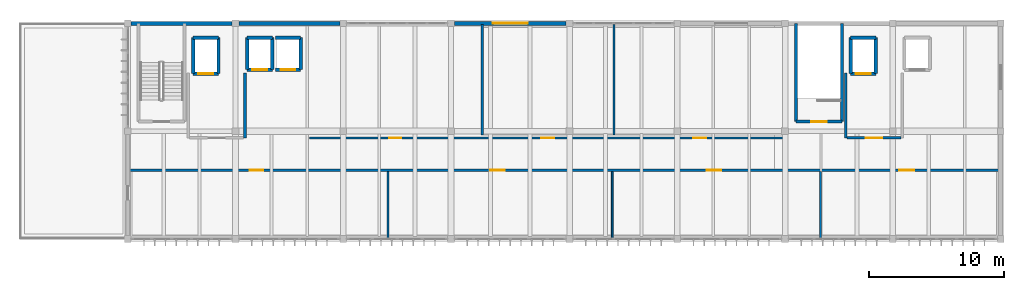
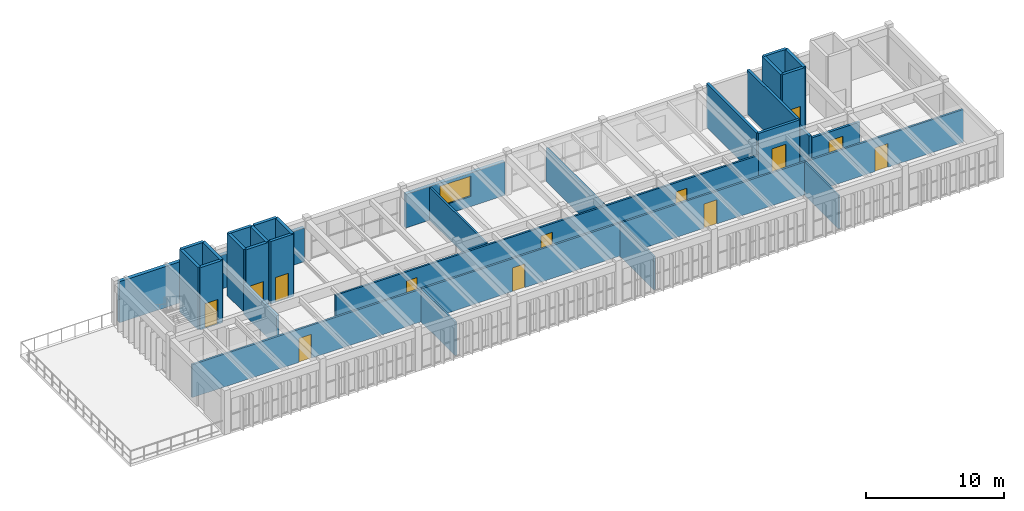
# One storey, part 9 of 12: 31 walls, 13 doors, 1 window, 14 openings.
"""IFC4 building model written with IfcOpenShell, lengths in metres."""

import ifcopenshell
import ifcopenshell.guid

model = None  # the IFC model being written
_history = None  # IfcOwnerHistory: only IFC2X3 demands one
_inside = {}  # id of a spatial element -> (the spatial element, [elements in it])
_under = {}  # id of a project, library or spatial element -> (it, [spatial elements below it])
_declared = {}  # id of a project -> (the project, [libraries it declares])
_typed = {}  # id of a type object -> (the type object, [elements of that type])
_made_of = {}  # id of a material, layer set ... -> (it, [elements and type objects made of it])


def new_model(schema):
    """Start an empty IFC model of exactly this schema.

    Asked for "IFC4X3", IfcOpenShell would pick the latest addendum, in which some entities
    have other attributes; the version numbers below select the first issue.
    IFC2X3 requires an IfcOwnerHistory on every rooted entity: one is made here for all.
    """
    global model, _history
    if schema == "IFC4X3":
        model = ifcopenshell.file(schema_version=(4, 3, 0, 0))
    else:
        model = ifcopenshell.file(schema=schema)
    _inside.clear()
    _under.clear()
    _declared.clear()
    _typed.clear()
    _made_of.clear()
    _history = None
    if model.schema == "IFC2X3":
        org = make("IfcOrganization", Name="unknown")
        user = make(
            "IfcPersonAndOrganization",
            ThePerson=make("IfcPerson", FamilyName="unknown"),
            TheOrganization=org,
        )
        app = make(
            "IfcApplication",
            ApplicationDeveloper=org,
            Version="unknown",
            ApplicationFullName="unknown",
            ApplicationIdentifier="unknown",
        )
        _history = make(
            "IfcOwnerHistory",
            OwningUser=user,
            OwningApplication=app,
            ChangeAction="ADDED",
            CreationDate=0,
        )
    return model


def make(cls, **values):
    """One entity of the class cls with the attributes given. An attribute that is None is left unset."""
    return model.create_entity(
        cls, **{name: value for name, value in values.items() if value is not None}
    )


def rooted(cls, **values):
    """An entity with a GlobalId (a new one), such as an element, a storey or a relation."""
    return make(cls, GlobalId=ifcopenshell.guid.new(), OwnerHistory=_history, **values)


def si_unit(unit_type, name, prefix=None):
    """IfcSIUnit, for example si_unit("LENGTHUNIT", "METRE", prefix="MILLI")."""
    return make("IfcSIUnit", UnitType=unit_type, Prefix=prefix, Name=name)


def assignment(units):
    """IfcUnitAssignment: the units of a project."""
    return None if units is None else make("IfcUnitAssignment", Units=units)


def point(xyz):
    """IfcCartesianPoint."""
    return None if xyz is None else make("IfcCartesianPoint", Coordinates=xyz)


def direction(xyz):
    """IfcDirection."""
    return None if xyz is None else make("IfcDirection", DirectionRatios=xyz)


def frame(location, z_axis=None, x_axis=None):
    """IfcAxis2Placement3D, a coordinate frame: its origin and axes. An axis left out is left unset."""
    return make(
        "IfcAxis2Placement3D",
        Location=point(location),
        Axis=direction(z_axis),
        RefDirection=direction(x_axis),
    )


def frame_2d(location, x_axis=None):
    """IfcAxis2Placement2D, a coordinate frame in the plane: its origin and x axis."""
    return make(
        "IfcAxis2Placement2D", Location=point(location), RefDirection=direction(x_axis)
    )


def origin():
    """The frame at (0, 0, 0) with its axes left unset."""
    return frame((0.0, 0.0, 0.0))


def place(relative_to, where):
    """IfcLocalPlacement: puts the frame where relative to a parent placement (None: the world)."""
    return make(
        "IfcLocalPlacement", PlacementRelTo=relative_to, RelativePlacement=where
    )


def context(
    kind, dimensions, precision=None, world=None, true_north=None, identifier=None
):
    """IfcGeometricRepresentationContext, for example the 3D "Model" context."""
    return make(
        "IfcGeometricRepresentationContext",
        ContextIdentifier=identifier,
        ContextType=kind,
        CoordinateSpaceDimension=dimensions,
        Precision=precision,
        WorldCoordinateSystem=world,
        TrueNorth=true_north,
    )


def subcontext(parent, identifier, kind, view, scale=None):
    """IfcGeometricRepresentationSubContext, for example "Body" below "Model"."""
    return make(
        "IfcGeometricRepresentationSubContext",
        ContextIdentifier=identifier,
        ContextType=kind,
        ParentContext=parent,
        TargetScale=scale,
        TargetView=view,
    )


def project(units=None, contexts=None):
    """IfcProject with its units and contexts."""
    return rooted(
        "IfcProject",
        Name="project",
        RepresentationContexts=contexts,
        UnitsInContext=assignment(units),
    )


def spatial(cls, under=None, at=None, **own):
    """A site, building, storey or space (cls), placed at a placement, below another one or the project."""
    s = rooted(cls, ObjectPlacement=at, **own)
    if under is not None:
        _under.setdefault(under.id(), (under, []))[1].append(s)
    return s


def profile(cls, at=None, kind="AREA", **sizes):
    """A parametric profile (cls). Its sizes go by their IFC names, for example OverallWidth=200.0."""
    return make(cls, ProfileType=kind, Position=at, **sizes)


def rectangle(**sizes):
    """IfcRectangleProfileDef."""
    return profile("IfcRectangleProfileDef", **sizes)


def extrude(swept, where, along, depth):
    """IfcExtrudedAreaSolid: the profile swept, set in the frame where, extruded along a direction by depth."""
    return make(
        "IfcExtrudedAreaSolid",
        SweptArea=swept,
        Position=where,
        ExtrudedDirection=direction(along),
        Depth=depth,
    )


def shape(context_of_items, identifier, shape_type, items):
    """IfcShapeRepresentation: the items that make up one representation, for example the "Body"."""
    return make(
        "IfcShapeRepresentation",
        ContextOfItems=context_of_items,
        RepresentationIdentifier=identifier,
        RepresentationType=shape_type,
        Items=items,
    )


def material(Name=None, Category=None):
    """IfcMaterial."""
    return make("IfcMaterial", Name=Name, Category=Category)


def layer(
    of_material, thickness, ventilated=None, Name=None, Category=None, Priority=None
):
    """IfcMaterialLayer: one layer of a wall or slab, of a material (None: an air gap)."""
    return make(
        "IfcMaterialLayer",
        Material=of_material,
        LayerThickness=thickness,
        IsVentilated=ventilated,
        Name=Name,
        Category=Category,
        Priority=Priority,
    )


def layer_set(layers, Name=None):
    """IfcMaterialLayerSet."""
    return make("IfcMaterialLayerSet", MaterialLayers=layers, LayerSetName=Name)


def made_of(thing, what):
    """Note that an element or type object is made of a material, layer set ...; save() writes the relation."""
    if what is not None:
        _made_of.setdefault(what.id(), (what, []))[1].append(thing)
    return thing


def type_object(cls, material=None, **own):
    """A type object (cls), such as IfcWallType, which elements share."""
    return made_of(rooted(cls, **own), material)


def element(
    cls,
    number,
    at=None,
    inside=None,
    cuts=None,
    type_object=None,
    material=None,
    context=None,
    identifier="Body",
    shape_type=None,
    held_by="IfcProductDefinitionShape",
    body=None,
    shapes=None,
    **own,
):
    """One element of the class cls, such as IfcWall. Its Tag is "e" and its number.

    at: its placement. inside: the storey or other place that contains it. cuts: it is an
    opening in that element (IfcRelVoidsElement). A single representation is given by context,
    identifier, shape_type and body (its items); several are given by shapes. held_by: the class
    of the entity that holds the representations. save() writes the other relations.
    """
    e = rooted(cls, Tag="e%d" % number, ObjectPlacement=at, **own)
    if body is not None:
        shapes = [shape(context, identifier, shape_type, body)]
    if shapes is not None:
        e.Representation = make(held_by, Representations=shapes)
    if inside is not None:
        _inside.setdefault(inside.id(), (inside, []))[1].append(e)
    if cuts is not None:
        rooted(
            "IfcRelVoidsElement", RelatingBuildingElement=cuts, RelatedOpeningElement=e
        )
    if type_object is not None:
        _typed.setdefault(type_object.id(), (type_object, []))[1].append(e)
    return made_of(e, material)


def fill(opening, filler):
    """IfcRelFillsElement: the door or window that sits in an opening."""
    return rooted(
        "IfcRelFillsElement",
        RelatingOpeningElement=opening,
        RelatedBuildingElement=filler,
    )


def aggregate(whole, parts):
    """IfcRelAggregates: a whole, such as a stair, and the parts it consists of."""
    return rooted("IfcRelAggregates", RelatingObject=whole, RelatedObjects=parts)


def save(model, path):
    """Write the relations noted so far, then the file.

    IfcRelAggregates (storeys below a building ...), IfcRelContainedInSpatialStructure (elements
    in a storey), IfcRelDefinesByType, IfcRelAssociatesMaterial and IfcRelDeclares: one each for
    every whole, place, type object, material and project.
    """
    for whole, parts in _under.values():
        aggregate(whole, parts)
    for where, things in _inside.values():
        rooted(
            "IfcRelContainedInSpatialStructure",
            RelatedElements=things,
            RelatingStructure=where,
        )
    for kind, things in _typed.values():
        rooted("IfcRelDefinesByType", RelatedObjects=things, RelatingType=kind)
    for what, things in _made_of.values():
        rooted("IfcRelAssociatesMaterial", RelatedObjects=things, RelatingMaterial=what)
    for by, libraries in _declared.values():
        rooted("IfcRelDeclares", RelatingContext=by, RelatedDefinitions=libraries)
    model.write(path)


model = new_model("IFC4")

# Units and contexts
model_context = context("Model", 3, precision=1e-05, world=origin(), true_north=direction((0.0, 1.0)))
body_context = subcontext(model_context, "Body", "Model", "MODEL_VIEW")
ifc_project = project(units=[si_unit("LENGTHUNIT", "METRE"), si_unit("AREAUNIT", "SQUARE_METRE"), si_unit("VOLUMEUNIT", "CUBIC_METRE"), si_unit("PLANEANGLEUNIT", "RADIAN"), si_unit("MASSUNIT", "GRAM", prefix="KILO")], contexts=[model_context])

# Site, building, storey
site_placement = place(None, origin())
site = spatial("IfcSite", under=ifc_project, at=site_placement, CompositionType="ELEMENT")
building_placement = place(site_placement, origin())
building = spatial("IfcBuilding", under=site, at=building_placement, Name="Tlaxcora Railside Police Headquarters", CompositionType="ELEMENT")
storey_placement = place(building_placement, frame((0.0, 0.0, 29.699951171875)))
storey = spatial("IfcBuildingStorey", under=building, at=storey_placement, Name="L07", CompositionType="ELEMENT", Elevation=29.699951171875)

# Walls
ifc_material_1 = material(Name="Gypsum acoustic partition board")
ifc_layer_1 = layer(ifc_material_1, 0.1298828125, Name="Gypsum acoustic partition board")
ifc_layer_set_1 = layer_set([ifc_layer_1], Name="Gypsum acoustic partition board")
wall_type_1 = type_object("IfcWallType", Name="Interior Partition Wall IW-40", PredefinedType="PARTITIONING", material=ifc_layer_set_1)
wall_1_placement = place(storey_placement, frame((72.6220703125, 76.8798828125, 0.0), z_axis=(0.0, 0.0, 1.0), x_axis=(0.0, 1.0, 0.0)))
element("IfcWall", 1, at=wall_1_placement, inside=storey, type_object=wall_type_1, Name="V5 L07 interior partition 257", PredefinedType="PARTITIONING", context=body_context, shape_type="SweptSolid", body=[
    extrude(rectangle(XDim=4.920166015625, YDim=0.1298828125, at=frame_2d((2.4599609375, 0.0))), origin(), (0.0, 0.0, 1.0), 2.965087890625),
])
ifc_material_2 = material(Name="Pressed clay brick masonry", Category="masonry")
ifc_layer_2 = layer(ifc_material_2, 0.199951171875, Name="Pressed clay brick masonry")
ifc_layer_set_2 = layer_set([ifc_layer_2], Name="Pressed clay brick masonry")
wall_type_2 = type_object("IfcWallType", Name="Interior Partition Wall IW-60", PredefinedType="PARTITIONING", material=ifc_layer_set_2)
wall_2_placement = place(storey_placement, frame((29.89990234375, 84.300048828125, 0.0), z_axis=(0.0, 0.0, 1.0), x_axis=(0.0, 1.0, 0.0)))
element("IfcWall", 2, at=wall_2_placement, inside=storey, type_object=wall_type_2, Name="V5 L07 interior partition 251", PredefinedType="PARTITIONING", context=body_context, shape_type="SweptSolid", body=[
    extrude(rectangle(XDim=4.800048828125, YDim=0.199951171875, at=frame_2d((2.39990234375, 0.0))), origin(), (0.0, 0.0, 1.0), 2.76513671875),
])

# Wall, opening, door
wall_3_placement = place(storey_placement, frame((74.60009765625, 84.300048828125, 0.0), z_axis=(0.0, 0.0, 1.0), x_axis=(1.0, 0.0, 0.0)))
wall_3 = element("IfcWall", 3, at=wall_3_placement, inside=storey, type_object=wall_type_2, Name="V5 L07 interior partition 252", PredefinedType="PARTITIONING", context=body_context, shape_type="SweptSolid", body=[
    extrude(rectangle(XDim=4.0, YDim=0.199951171875, at=frame_2d((2.0, 0.0))), origin(), (0.0, 0.0, 1.0), 2.9150390625),
])
opening_1_placement = place(wall_3_placement, frame((1.39990234375, 0.0, 0.0)))
opening_1 = element("IfcOpeningElement", 4, at=opening_1_placement, cuts=wall_3, Name="Opening D-L07-266", PredefinedType="OPENING", context=body_context, shape_type="SweptSolid", body=[
    extrude(rectangle(XDim=1.199951171875, YDim=2.14990234375, at=frame_2d((0.60009765625, 1.074951171875))), frame((0.0, 0.10986328125, 0.0), z_axis=(0.0, -1.0, 0.0), x_axis=(1.0, 0.0, 0.0)), (0.0, 0.0, 1.0), 0.219970703125),
])
ifc_material_3 = material(Name="Steel ASTM A992 Grade 50", Category="steel")
door_type_1 = type_object("IfcDoorType", Name="Swing or Sliding Personnel Door ID-14", OperationType="NOTDEFINED", PredefinedType="DOOR", material=ifc_material_3)
door_1_placement = place(opening_1_placement, origin())
door_1 = element("IfcDoor", 5, at=door_1_placement, inside=storey, type_object=door_type_1, Name="V5 L07 door D-L07-266", OperationType="DOUBLE_DOOR_SINGLE_SWING", OverallHeight=2.14990234375, OverallWidth=1.199951171875, PredefinedType="DOOR", context=body_context, shape_type="SweptSolid", body=[
    extrude(rectangle(XDim=1.199951171875, YDim=2.14990234375, at=frame_2d((0.60009765625, 1.074951171875))), frame((0.0, 0.02490234375, 0.0), z_axis=(0.0, -1.0, 0.0), x_axis=(1.0, 0.0, 0.0)), (0.0, 0.0, 1.0), 0.050048828125),
])
fill(opening_1, door_1)

# Wall
wall_4_placement = place(storey_placement, frame((74.5, 84.300048828125, 0.0), z_axis=(0.0, 0.0, 1.0), x_axis=(0.0, 1.0, 0.0)))
element("IfcWall", 6, at=wall_4_placement, inside=storey, type_object=wall_type_2, Name="V5 L07 interior partition 253", PredefinedType="PARTITIONING", context=body_context, shape_type="SweptSolid", body=[
    extrude(rectangle(XDim=4.800048828125, YDim=0.199951171875, at=frame_2d((2.39990234375, 0.0))), origin(), (0.0, 0.0, 1.0), 3.06494140625),
])

# Wall, openings, doors
ifc_layer_3 = layer(ifc_material_1, 0.159912109375, Name="Gypsum acoustic partition board")
ifc_layer_set_3 = layer_set([ifc_layer_3], Name="Gypsum acoustic partition board")
wall_type_3 = type_object("IfcWallType", Name="Interior Partition Wall IW-73", PredefinedType="PARTITIONING", material=ifc_layer_set_3)
wall_5_placement = place(storey_placement, frame((21.280029296875, 81.89990234375, 0.0), z_axis=(0.0, 0.0, 1.0), x_axis=(1.0, 0.0, 0.0)))
wall_5 = element("IfcWall", 7, at=wall_5_placement, inside=storey, type_object=wall_type_3, Name="V5 L07 interior partition 258", PredefinedType="PARTITIONING", context=body_context, shape_type="SweptSolid", body=[
    extrude(rectangle(XDim=64.639892578125, YDim=0.159912109375, at=frame_2d((32.31982421875, 0.0))), origin(), (0.0, 0.0, 1.0), 2.9150390625),
])
opening_2_placement = place(wall_5_placement, frame((8.969970703125, 0.0, 0.0)))
opening_2 = element("IfcOpeningElement", 8, at=opening_2_placement, cuts=wall_5, Name="Opening D-L07-267", PredefinedType="OPENING", context=body_context, shape_type="SweptSolid", body=[
    extrude(rectangle(XDim=1.02001953125, YDim=2.1201171875, at=frame_2d((0.510009765625, 1.06005859375))), frame((0.0, 0.08984375, 0.0), z_axis=(0.0, -1.0, 0.0), x_axis=(1.0, 0.0, 0.0)), (0.0, 0.0, 1.0), 0.179931640625),
])
opening_3_placement = place(wall_5_placement, frame((26.840087890625, 0.0, 0.0)))
opening_3 = element("IfcOpeningElement", 9, at=opening_3_placement, cuts=wall_5, Name="Opening D-L07-268", PredefinedType="OPENING", context=body_context, shape_type="SweptSolid", body=[
    extrude(rectangle(XDim=1.050048828125, YDim=2.10009765625, at=frame_2d((0.52490234375, 1.050048828125))), frame((0.0, 0.08984375, 0.0), z_axis=(0.0, -1.0, 0.0), x_axis=(1.0, 0.0, 0.0)), (0.0, 0.0, 1.0), 0.179931640625),
])
opening_4_placement = place(wall_5_placement, frame((42.889892578125, 0.0, 0.0)))
opening_4 = element("IfcOpeningElement", 10, at=opening_4_placement, cuts=wall_5, Name="Opening D-L07-269", PredefinedType="OPENING", context=body_context, shape_type="SweptSolid", body=[
    extrude(rectangle(XDim=1.080078125, YDim=2.139892578125, at=frame_2d((0.5400390625, 1.06982421875))), frame((0.0, 0.08984375, 0.0), z_axis=(0.0, -1.0, 0.0), x_axis=(1.0, 0.0, 0.0)), (0.0, 0.0, 1.0), 0.179931640625),
])
opening_5_placement = place(wall_5_placement, frame((57.199951171875, 0.0, 0.0)))
opening_5 = element("IfcOpeningElement", 11, at=opening_5_placement, cuts=wall_5, Name="Opening D-L07-270", PredefinedType="OPENING", context=body_context, shape_type="SweptSolid", body=[
    extrude(rectangle(XDim=1.10009765625, YDim=2.10009765625, at=frame_2d((0.550048828125, 1.050048828125))), frame((0.0, 0.08984375, 0.0), z_axis=(0.0, -1.0, 0.0), x_axis=(1.0, 0.0, 0.0)), (0.0, 0.0, 1.0), 0.179931640625),
])
door_type_2 = type_object("IfcDoorType", Name="Swing or Sliding Personnel Door ID-20", OperationType="NOTDEFINED", PredefinedType="DOOR", material=ifc_material_3)
door_2_placement = place(opening_4_placement, origin())
door_2 = element("IfcDoor", 12, at=door_2_placement, inside=storey, type_object=door_type_2, Name="V5 L07 door D-L07-269", OperationType="SINGLE_SWING_RIGHT", OverallHeight=2.139892578125, OverallWidth=1.080078125, PredefinedType="DOOR", context=body_context, shape_type="SweptSolid", body=[
    extrude(rectangle(XDim=1.080078125, YDim=2.139892578125, at=frame_2d((0.5400390625, 1.06982421875))), frame((0.0, 0.02490234375, 0.0), z_axis=(0.0, -1.0, 0.0), x_axis=(1.0, 0.0, 0.0)), (0.0, 0.0, 1.0), 0.050048828125),
])
fill(opening_4, door_2)
door_type_3 = type_object("IfcDoorType", Name="Swing or Sliding Personnel Door ID-48", OperationType="NOTDEFINED", PredefinedType="DOOR", material=ifc_material_3)
door_3_placement = place(opening_2_placement, origin())
door_3 = element("IfcDoor", 13, at=door_3_placement, inside=storey, type_object=door_type_3, Name="V5 L07 door D-L07-267", OperationType="SINGLE_SWING_RIGHT", OverallHeight=2.1201171875, OverallWidth=1.02001953125, PredefinedType="DOOR", context=body_context, shape_type="SweptSolid", body=[
    extrude(rectangle(XDim=1.02001953125, YDim=2.1201171875, at=frame_2d((0.510009765625, 1.06005859375))), frame((0.0, 0.02490234375, 0.0), z_axis=(0.0, -1.0, 0.0), x_axis=(1.0, 0.0, 0.0)), (0.0, 0.0, 1.0), 0.050048828125),
])
fill(opening_2, door_3)
door_type_4 = type_object("IfcDoorType", Name="Swing or Sliding Personnel Door ID-52", OperationType="NOTDEFINED", PredefinedType="DOOR", material=ifc_material_3)
door_4_placement = place(opening_3_placement, origin())
door_4 = element("IfcDoor", 14, at=door_4_placement, inside=storey, type_object=door_type_4, Name="V5 L07 door D-L07-268", OperationType="SINGLE_SWING_LEFT", OverallHeight=2.10009765625, OverallWidth=1.050048828125, PredefinedType="DOOR", context=body_context, shape_type="SweptSolid", body=[
    extrude(rectangle(XDim=1.050048828125, YDim=2.10009765625, at=frame_2d((0.52490234375, 1.050048828125))), frame((0.0, 0.02490234375, 0.0), z_axis=(0.0, -1.0, 0.0), x_axis=(1.0, 0.0, 0.0)), (0.0, 0.0, 1.0), 0.050048828125),
])
fill(opening_3, door_4)
door_type_5 = type_object("IfcDoorType", Name="Swing or Sliding Personnel Door ID-66", OperationType="NOTDEFINED", PredefinedType="DOOR", material=ifc_material_3)
door_5_placement = place(opening_5_placement, origin())
door_5 = element("IfcDoor", 15, at=door_5_placement, inside=storey, type_object=door_type_5, Name="V5 L07 door D-L07-270", OperationType="SINGLE_SWING_LEFT", OverallHeight=2.10009765625, OverallWidth=1.10009765625, PredefinedType="DOOR", context=body_context, shape_type="SweptSolid", body=[
    extrude(rectangle(XDim=1.10009765625, YDim=2.10009765625, at=frame_2d((0.550048828125, 1.050048828125))), frame((0.0, 0.02490234375, 0.0), z_axis=(0.0, -1.0, 0.0), x_axis=(1.0, 0.0, 0.0)), (0.0, 0.0, 1.0), 0.050048828125),
])
fill(opening_5, door_5)

# Walls
wall_6_placement = place(storey_placement, frame((47.510986328125, 84.5, 0.0), z_axis=(0.0, 0.0, 1.0), x_axis=(0.0, 1.0, 0.0)))
element("IfcWall", 16, at=wall_6_placement, inside=storey, type_object=wall_type_3, Name="V5 L07 interior partition 259", PredefinedType="PARTITIONING", context=body_context, shape_type="SweptSolid", body=[
    extrude(rectangle(XDim=8.219970703125, YDim=0.159912109375, at=frame_2d((4.10986328125, 0.0))), origin(), (0.0, 0.0, 1.0), 2.9150390625),
])
wall_7_placement = place(storey_placement, frame((57.2890625, 84.5, 0.0), z_axis=(0.0, 0.0, 1.0), x_axis=(0.0, 1.0, 0.0)))
element("IfcWall", 17, at=wall_7_placement, inside=storey, type_object=wall_type_3, Name="V5 L07 interior partition 260", PredefinedType="PARTITIONING", context=body_context, shape_type="SweptSolid", body=[
    extrude(rectangle(XDim=8.219970703125, YDim=0.159912109375, at=frame_2d((4.10986328125, 0.0))), origin(), (0.0, 0.0, 1.0), 2.965087890625),
])

# Wall, openings, doors
wall_8_placement = place(storey_placement, frame((34.699951171875, 84.300048828125, 0.0), z_axis=(0.0, 0.0, 1.0), x_axis=(1.0, 0.0, 0.0)))
wall_8 = element("IfcWall", 18, at=wall_8_placement, inside=storey, type_object=wall_type_3, Name="V5 L07 interior partition 261", PredefinedType="PARTITIONING", context=body_context, shape_type="SweptSolid", body=[
    extrude(rectangle(XDim=35.400146484375, YDim=0.159912109375, at=frame_2d((17.7001953125, 0.0))), origin(), (0.0, 0.0, 1.0), 2.9150390625),
])
opening_6_placement = place(wall_8_placement, frame((5.919921875, 0.0, 0.0)))
opening_6 = element("IfcOpeningElement", 19, at=opening_6_placement, cuts=wall_8, Name="Opening D-L07-271", PredefinedType="OPENING", context=body_context, shape_type="SweptSolid", body=[
    extrude(rectangle(XDim=0.89990234375, YDim=2.10009765625, at=frame_2d((0.449951171875, 1.050048828125))), frame((0.0, 0.08984375, 0.0), z_axis=(0.0, -1.0, 0.0), x_axis=(1.0, 0.0, 0.0)), (0.0, 0.0, 1.0), 0.179931640625),
])
opening_7_placement = place(wall_8_placement, frame((17.199951171875, 0.0, 0.0)))
opening_7 = element("IfcOpeningElement", 20, at=opening_7_placement, cuts=wall_8, Name="Opening D-L07-272", PredefinedType="OPENING", context=body_context, shape_type="SweptSolid", body=[
    extrude(rectangle(XDim=0.949951171875, YDim=2.14990234375, at=frame_2d((0.47509765625, 1.074951171875))), frame((0.0, 0.08984375, 0.0), z_axis=(0.0, -1.0, 0.0), x_axis=(1.0, 0.0, 0.0)), (0.0, 0.0, 1.0), 0.179931640625),
])
opening_8_placement = place(wall_8_placement, frame((28.47998046875, 0.0, 0.0)))
opening_8 = element("IfcOpeningElement", 21, at=opening_8_placement, cuts=wall_8, Name="Opening D-L07-273", PredefinedType="OPENING", context=body_context, shape_type="SweptSolid", body=[
    extrude(rectangle(XDim=0.949951171875, YDim=2.10009765625, at=frame_2d((0.47509765625, 1.050048828125))), frame((0.0, 0.08984375, 0.0), z_axis=(0.0, -1.0, 0.0), x_axis=(1.0, 0.0, 0.0)), (0.0, 0.0, 1.0), 0.179931640625),
])
door_type_6 = type_object("IfcDoorType", Name="Swing or Sliding Personnel Door ID-31", OperationType="NOTDEFINED", PredefinedType="DOOR", material=ifc_material_3)
door_6_placement = place(opening_7_placement, origin())
door_6 = element("IfcDoor", 22, at=door_6_placement, inside=storey, type_object=door_type_6, Name="V5 L07 door D-L07-272", OperationType="SINGLE_SWING_LEFT", OverallHeight=2.14990234375, OverallWidth=0.949951171875, PredefinedType="DOOR", context=body_context, shape_type="SweptSolid", body=[
    extrude(rectangle(XDim=0.949951171875, YDim=2.14990234375, at=frame_2d((0.47509765625, 1.074951171875))), frame((0.0, 0.02490234375, 0.0), z_axis=(0.0, -1.0, 0.0), x_axis=(1.0, 0.0, 0.0)), (0.0, 0.0, 1.0), 0.050048828125),
])
fill(opening_7, door_6)
door_type_7 = type_object("IfcDoorType", Name="Swing or Sliding Personnel Door ID-33", OperationType="NOTDEFINED", PredefinedType="DOOR", material=ifc_material_3)
door_7_placement = place(opening_6_placement, origin())
door_7 = element("IfcDoor", 23, at=door_7_placement, inside=storey, type_object=door_type_7, Name="V5 L07 door D-L07-271", OperationType="SINGLE_SWING_RIGHT", OverallHeight=2.10009765625, OverallWidth=0.89990234375, PredefinedType="DOOR", context=body_context, shape_type="SweptSolid", body=[
    extrude(rectangle(XDim=0.89990234375, YDim=2.10009765625, at=frame_2d((0.449951171875, 1.050048828125))), frame((0.0, 0.02490234375, 0.0), z_axis=(0.0, -1.0, 0.0), x_axis=(1.0, 0.0, 0.0)), (0.0, 0.0, 1.0), 0.050048828125),
])
fill(opening_6, door_7)
door_type_8 = type_object("IfcDoorType", Name="Swing or Sliding Personnel Door ID-87", OperationType="NOTDEFINED", PredefinedType="DOOR", material=ifc_material_3)
door_8_placement = place(opening_8_placement, origin())
door_8 = element("IfcDoor", 24, at=door_8_placement, inside=storey, type_object=door_type_8, Name="V5 L07 door D-L07-273", OperationType="SINGLE_SWING_RIGHT", OverallHeight=2.10009765625, OverallWidth=0.949951171875, PredefinedType="DOOR", context=body_context, shape_type="SweptSolid", body=[
    extrude(rectangle(XDim=0.949951171875, YDim=2.10009765625, at=frame_2d((0.47509765625, 1.050048828125))), frame((0.0, 0.02490234375, 0.0), z_axis=(0.0, -1.0, 0.0), x_axis=(1.0, 0.0, 0.0)), (0.0, 0.0, 1.0), 0.050048828125),
])
fill(opening_8, door_8)

# Walls
ifc_layer_4 = layer(ifc_material_1, 0.139892578125, Name="Gypsum acoustic partition board")
ifc_layer_set_4 = layer_set([ifc_layer_4], Name="Gypsum acoustic partition board")
wall_type_4 = type_object("IfcWallType", Name="Interior Partition Wall IW-86", PredefinedType="PARTITIONING", material=ifc_layer_set_4)
wall_9_placement = place(storey_placement, frame((57.166015625, 76.8798828125, 0.0), z_axis=(0.0, 0.0, 1.0), x_axis=(0.0, 1.0, 0.0)))
element("IfcWall", 25, at=wall_9_placement, inside=storey, type_object=wall_type_4, Name="V5 L07 interior partition 256", PredefinedType="PARTITIONING", context=body_context, shape_type="SweptSolid", body=[
    extrude(rectangle(XDim=4.920166015625, YDim=0.139892578125, at=frame_2d((2.4599609375, 0.0))), origin(), (0.0, 0.0, 1.0), 2.965087890625),
])
ifc_layer_5 = layer(ifc_material_1, 0.14990234375, Name="Gypsum acoustic partition board")
ifc_layer_set_5 = layer_set([ifc_layer_5], Name="Gypsum acoustic partition board")
wall_type_5 = type_object("IfcWallType", Name="Interior Partition Wall IW-91", PredefinedType="PARTITIONING", material=ifc_layer_set_5)
wall_10_placement = place(storey_placement, frame((40.52197265625, 76.8798828125, 0.0), z_axis=(0.0, 0.0, 1.0), x_axis=(0.0, 1.0, 0.0)))
element("IfcWall", 26, at=wall_10_placement, inside=storey, type_object=wall_type_5, Name="V5 L07 interior partition 255", PredefinedType="PARTITIONING", context=body_context, shape_type="SweptSolid", body=[
    extrude(rectangle(XDim=4.920166015625, YDim=0.14990234375, at=frame_2d((2.4599609375, 0.0))), origin(), (0.0, 0.0, 1.0), 2.965087890625),
])

# Wall, opening, door
ifc_material_4 = material(Name="Concrete C40/50", Category="concrete")
ifc_layer_6 = layer(ifc_material_4, 0.25, Name="Concrete C40/50")
ifc_layer_set_6 = layer_set([ifc_layer_6], Name="Concrete C40/50")
wall_type_6 = type_object("IfcWallType", Name="Shear Core Wall IW-13", PredefinedType="SHEAR", material=ifc_layer_set_6)
wall_11_placement = place(storey_placement, frame((26.06005859375, 89.06005859375, 0.0), z_axis=(0.0, 0.0, 1.0), x_axis=(1.0, 0.0, 0.0)))
wall_11 = element("IfcWall", 27, at=wall_11_placement, inside=storey, type_object=wall_type_6, Name="Lift FFL-01 L07 shaft wall S", PredefinedType="SHEAR", context=body_context, shape_type="SweptSolid", body=[
    extrude(rectangle(XDim=1.8798828125, YDim=0.25, at=frame_2d((0.93994140625, 0.0))), origin(), (0.0, 0.0, 1.0), 5.52001953125),
])
opening_9_placement = place(wall_11_placement, frame((0.389892578125, 0.0, 0.0)))
opening_9 = element("IfcOpeningElement", 28, at=opening_9_placement, cuts=wall_11, Name="Opening LD-FFL-01-L07", PredefinedType="OPENING", context=body_context, shape_type="SweptSolid", body=[
    extrude(rectangle(XDim=1.10009765625, YDim=2.199951171875, at=frame_2d((0.550048828125, 1.10009765625))), frame((0.0, 0.135009765625, 0.0), z_axis=(0.0, -1.0, 0.0), x_axis=(1.0, 0.0, 0.0)), (0.0, 0.0, 1.0), 0.27001953125),
])
door_type_9 = type_object("IfcDoorType", Name="Swing or Sliding Personnel Door ID-15", OperationType="NOTDEFINED", PredefinedType="DOOR", material=ifc_material_3)
door_9_placement = place(opening_9_placement, origin())
door_9 = element("IfcDoor", 29, at=door_9_placement, inside=storey, type_object=door_type_9, Name="Lift FFL-01 L07 sliding landing door", OperationType="DOUBLE_DOOR_SLIDING", OverallHeight=2.199951171875, OverallWidth=1.10009765625, PredefinedType="DOOR", context=body_context, shape_type="SweptSolid", body=[
    extrude(rectangle(XDim=1.10009765625, YDim=2.199951171875, at=frame_2d((0.550048828125, 1.10009765625))), frame((0.0, 0.02490234375, 0.0), z_axis=(0.0, -1.0, 0.0), x_axis=(1.0, 0.0, 0.0)), (0.0, 0.0, 1.0), 0.050048828125),
])
fill(opening_9, door_9)

# Walls
wall_12_placement = place(storey_placement, frame((27.93994140625, 89.06005859375, 0.0), z_axis=(0.0, 0.0, 1.0), x_axis=(0.0, 1.0, 0.0)))
element("IfcWall", 30, at=wall_12_placement, inside=storey, type_object=wall_type_6, Name="Lift FFL-01 L07 shaft wall E", PredefinedType="SHEAR", context=body_context, shape_type="SweptSolid", body=[
    extrude(rectangle(XDim=2.679931640625, YDim=0.25, at=frame_2d((1.33984375, 0.0))), origin(), (0.0, 0.0, 1.0), 5.52001953125),
])
wall_13_placement = place(storey_placement, frame((27.93994140625, 91.739990234375, 0.0), z_axis=(0.0, 0.0, 1.0), x_axis=(-1.0, 0.0, 0.0)))
element("IfcWall", 31, at=wall_13_placement, inside=storey, type_object=wall_type_6, Name="Lift FFL-01 L07 shaft wall N", PredefinedType="SHEAR", context=body_context, shape_type="SweptSolid", body=[
    extrude(rectangle(XDim=1.8798828125, YDim=0.25, at=frame_2d((0.93994140625, 0.0))), origin(), (0.0, 0.0, 1.0), 5.52001953125),
])
wall_14_placement = place(storey_placement, frame((26.06005859375, 91.739990234375, 0.0), z_axis=(0.0, 0.0, 1.0), x_axis=(0.0, -1.0, 0.0)))
element("IfcWall", 32, at=wall_14_placement, inside=storey, type_object=wall_type_6, Name="Lift FFL-01 L07 shaft wall W", PredefinedType="SHEAR", context=body_context, shape_type="SweptSolid", body=[
    extrude(rectangle(XDim=2.679931640625, YDim=0.25, at=frame_2d((1.33984375, 0.0))), origin(), (0.0, 0.0, 1.0), 5.52001953125),
])

# Wall, opening, door
wall_15_placement = place(storey_placement, frame((30.06005859375, 89.360107421875, 0.0), z_axis=(0.0, 0.0, 1.0), x_axis=(1.0, 0.0, 0.0)))
wall_15 = element("IfcWall", 33, at=wall_15_placement, inside=storey, type_object=wall_type_6, Name="Lift PL-01 L07 shaft wall S", PredefinedType="SHEAR", context=body_context, shape_type="SweptSolid", body=[
    extrude(rectangle(XDim=1.8798828125, YDim=0.25, at=frame_2d((0.93994140625, 0.0))), origin(), (0.0, 0.0, 1.0), 5.52001953125),
])
opening_10_placement = place(wall_15_placement, frame((0.389892578125, 0.0, 0.0)))
opening_10 = element("IfcOpeningElement", 34, at=opening_10_placement, cuts=wall_15, Name="Opening LD-PL-01-L07", PredefinedType="OPENING", context=body_context, shape_type="SweptSolid", body=[
    extrude(rectangle(XDim=1.10009765625, YDim=2.199951171875, at=frame_2d((0.550048828125, 1.10009765625))), frame((0.0, 0.135009765625, 0.0), z_axis=(0.0, -1.0, 0.0), x_axis=(1.0, 0.0, 0.0)), (0.0, 0.0, 1.0), 0.27001953125),
])
door_10_placement = place(opening_10_placement, origin())
door_10 = element("IfcDoor", 35, at=door_10_placement, inside=storey, type_object=door_type_9, Name="Lift PL-01 L07 sliding landing door", OperationType="DOUBLE_DOOR_SLIDING", OverallHeight=2.199951171875, OverallWidth=1.10009765625, PredefinedType="DOOR", context=body_context, shape_type="SweptSolid", body=[
    extrude(rectangle(XDim=1.10009765625, YDim=2.199951171875, at=frame_2d((0.550048828125, 1.10009765625))), frame((0.0, 0.02490234375, 0.0), z_axis=(0.0, -1.0, 0.0), x_axis=(1.0, 0.0, 0.0)), (0.0, 0.0, 1.0), 0.050048828125),
])
fill(opening_10, door_10)

# Walls
wall_16_placement = place(storey_placement, frame((31.93994140625, 89.360107421875, 0.0), z_axis=(0.0, 0.0, 1.0), x_axis=(0.0, 1.0, 0.0)))
element("IfcWall", 36, at=wall_16_placement, inside=storey, type_object=wall_type_6, Name="Lift PL-01 L07 shaft wall E", PredefinedType="SHEAR", context=body_context, shape_type="SweptSolid", body=[
    extrude(rectangle(XDim=2.3798828125, YDim=0.25, at=frame_2d((1.18994140625, 0.0))), origin(), (0.0, 0.0, 1.0), 5.52001953125),
])
wall_17_placement = place(storey_placement, frame((31.93994140625, 91.739990234375, 0.0), z_axis=(0.0, 0.0, 1.0), x_axis=(-1.0, 0.0, 0.0)))
element("IfcWall", 37, at=wall_17_placement, inside=storey, type_object=wall_type_6, Name="Lift PL-01 L07 shaft wall N", PredefinedType="SHEAR", context=body_context, shape_type="SweptSolid", body=[
    extrude(rectangle(XDim=1.8798828125, YDim=0.25, at=frame_2d((0.93994140625, 0.0))), origin(), (0.0, 0.0, 1.0), 5.52001953125),
])
wall_18_placement = place(storey_placement, frame((30.06005859375, 91.739990234375, 0.0), z_axis=(0.0, 0.0, 1.0), x_axis=(0.0, -1.0, 0.0)))
element("IfcWall", 38, at=wall_18_placement, inside=storey, type_object=wall_type_6, Name="Lift PL-01 L07 shaft wall W", PredefinedType="SHEAR", context=body_context, shape_type="SweptSolid", body=[
    extrude(rectangle(XDim=2.3798828125, YDim=0.25, at=frame_2d((1.18994140625, 0.0))), origin(), (0.0, 0.0, 1.0), 5.52001953125),
])

# Wall, opening, door
wall_19_placement = place(storey_placement, frame((32.159912109375, 89.360107421875, 0.0), z_axis=(0.0, 0.0, 1.0), x_axis=(1.0, 0.0, 0.0)))
wall_19 = element("IfcWall", 39, at=wall_19_placement, inside=storey, type_object=wall_type_6, Name="Lift PL-02 L07 shaft wall S", PredefinedType="SHEAR", context=body_context, shape_type="SweptSolid", body=[
    extrude(rectangle(XDim=1.880126953125, YDim=0.25, at=frame_2d((0.93994140625, 0.0))), origin(), (0.0, 0.0, 1.0), 5.52001953125),
])
opening_11_placement = place(wall_19_placement, frame((0.389892578125, 0.0, 0.0)))
opening_11 = element("IfcOpeningElement", 40, at=opening_11_placement, cuts=wall_19, Name="Opening LD-PL-02-L07", PredefinedType="OPENING", context=body_context, shape_type="SweptSolid", body=[
    extrude(rectangle(XDim=1.10009765625, YDim=2.199951171875, at=frame_2d((0.550048828125, 1.10009765625))), frame((0.0, 0.135009765625, 0.0), z_axis=(0.0, -1.0, 0.0), x_axis=(1.0, 0.0, 0.0)), (0.0, 0.0, 1.0), 0.27001953125),
])
door_11_placement = place(opening_11_placement, origin())
door_11 = element("IfcDoor", 41, at=door_11_placement, inside=storey, type_object=door_type_9, Name="Lift PL-02 L07 sliding landing door", OperationType="DOUBLE_DOOR_SLIDING", OverallHeight=2.199951171875, OverallWidth=1.10009765625, PredefinedType="DOOR", context=body_context, shape_type="SweptSolid", body=[
    extrude(rectangle(XDim=1.10009765625, YDim=2.199951171875, at=frame_2d((0.550048828125, 1.10009765625))), frame((0.0, 0.02490234375, 0.0), z_axis=(0.0, -1.0, 0.0), x_axis=(1.0, 0.0, 0.0)), (0.0, 0.0, 1.0), 0.050048828125),
])
fill(opening_11, door_11)

# Walls
wall_20_placement = place(storey_placement, frame((34.0400390625, 89.360107421875, 0.0), z_axis=(0.0, 0.0, 1.0), x_axis=(0.0, 1.0, 0.0)))
element("IfcWall", 42, at=wall_20_placement, inside=storey, type_object=wall_type_6, Name="Lift PL-02 L07 shaft wall E", PredefinedType="SHEAR", context=body_context, shape_type="SweptSolid", body=[
    extrude(rectangle(XDim=2.3798828125, YDim=0.25, at=frame_2d((1.18994140625, 0.0))), origin(), (0.0, 0.0, 1.0), 5.52001953125),
])
wall_21_placement = place(storey_placement, frame((34.0400390625, 91.739990234375, 0.0), z_axis=(0.0, 0.0, 1.0), x_axis=(-1.0, 0.0, 0.0)))
element("IfcWall", 43, at=wall_21_placement, inside=storey, type_object=wall_type_6, Name="Lift PL-02 L07 shaft wall N", PredefinedType="SHEAR", context=body_context, shape_type="SweptSolid", body=[
    extrude(rectangle(XDim=1.880126953125, YDim=0.25, at=frame_2d((0.93994140625, 0.0))), origin(), (0.0, 0.0, 1.0), 5.52001953125),
])

# Wall, opening, door
wall_22_placement = place(storey_placement, frame((74.860107421875, 89.06005859375, 0.0), z_axis=(0.0, 0.0, 1.0), x_axis=(1.0, 0.0, 0.0)))
wall_22 = element("IfcWall", 44, at=wall_22_placement, inside=storey, type_object=wall_type_6, Name="Lift FFL-02 L07 shaft wall S", PredefinedType="SHEAR", context=body_context, shape_type="SweptSolid", body=[
    extrude(rectangle(XDim=1.8798828125, YDim=0.25, at=frame_2d((0.93994140625, 0.0))), origin(), (0.0, 0.0, 1.0), 5.52001953125),
])
opening_12_placement = place(wall_22_placement, frame((0.389892578125, 0.0, 0.0)))
opening_12 = element("IfcOpeningElement", 45, at=opening_12_placement, cuts=wall_22, Name="Opening LD-FFL-02-L07", PredefinedType="OPENING", context=body_context, shape_type="SweptSolid", body=[
    extrude(rectangle(XDim=1.10009765625, YDim=2.199951171875, at=frame_2d((0.550048828125, 1.10009765625))), frame((0.0, 0.135009765625, 0.0), z_axis=(0.0, -1.0, 0.0), x_axis=(1.0, 0.0, 0.0)), (0.0, 0.0, 1.0), 0.27001953125),
])
door_12_placement = place(opening_12_placement, origin())
door_12 = element("IfcDoor", 46, at=door_12_placement, inside=storey, type_object=door_type_9, Name="Lift FFL-02 L07 sliding landing door", OperationType="DOUBLE_DOOR_SLIDING", OverallHeight=2.199951171875, OverallWidth=1.10009765625, PredefinedType="DOOR", context=body_context, shape_type="SweptSolid", body=[
    extrude(rectangle(XDim=1.10009765625, YDim=2.199951171875, at=frame_2d((0.550048828125, 1.10009765625))), frame((0.0, 0.02490234375, 0.0), z_axis=(0.0, -1.0, 0.0), x_axis=(1.0, 0.0, 0.0)), (0.0, 0.0, 1.0), 0.050048828125),
])
fill(opening_12, door_12)

# Walls
wall_23_placement = place(storey_placement, frame((76.739990234375, 89.06005859375, 0.0), z_axis=(0.0, 0.0, 1.0), x_axis=(0.0, 1.0, 0.0)))
element("IfcWall", 47, at=wall_23_placement, inside=storey, type_object=wall_type_6, Name="Lift FFL-02 L07 shaft wall E", PredefinedType="SHEAR", context=body_context, shape_type="SweptSolid", body=[
    extrude(rectangle(XDim=2.679931640625, YDim=0.25, at=frame_2d((1.33984375, 0.0))), origin(), (0.0, 0.0, 1.0), 5.52001953125),
])
wall_24_placement = place(storey_placement, frame((76.739990234375, 91.739990234375, 0.0), z_axis=(0.0, 0.0, 1.0), x_axis=(-1.0, 0.0, 0.0)))
element("IfcWall", 48, at=wall_24_placement, inside=storey, type_object=wall_type_6, Name="Lift FFL-02 L07 shaft wall N", PredefinedType="SHEAR", context=body_context, shape_type="SweptSolid", body=[
    extrude(rectangle(XDim=1.8798828125, YDim=0.25, at=frame_2d((0.93994140625, 0.0))), origin(), (0.0, 0.0, 1.0), 5.52001953125),
])
wall_25_placement = place(storey_placement, frame((74.860107421875, 91.739990234375, 0.0), z_axis=(0.0, 0.0, 1.0), x_axis=(0.0, -1.0, 0.0)))
element("IfcWall", 49, at=wall_25_placement, inside=storey, type_object=wall_type_6, Name="Lift FFL-02 L07 shaft wall W", PredefinedType="SHEAR", context=body_context, shape_type="SweptSolid", body=[
    extrude(rectangle(XDim=2.679931640625, YDim=0.25, at=frame_2d((1.33984375, 0.0))), origin(), (0.0, 0.0, 1.0), 5.52001953125),
])

# Wall, opening, door
ifc_layer_7 = layer(ifc_material_4, 0.219970703125, Name="Concrete C40/50")
ifc_layer_set_7 = layer_set([ifc_layer_7], Name="Concrete C40/50")
wall_type_7 = type_object("IfcWallType", Name="Shear Core Wall IW-35", PredefinedType="SHEAR", material=ifc_layer_set_7)
wall_26_placement = place(storey_placement, frame((70.800048828125, 85.5, 0.0), z_axis=(0.0, 0.0, 1.0), x_axis=(1.0, 0.0, 0.0)))
wall_26 = element("IfcWall", 50, at=wall_26_placement, inside=storey, type_object=wall_type_7, Name="CORE-C2 L07 stair core wall S", PredefinedType="SHEAR", context=body_context, shape_type="SweptSolid", body=[
    extrude(rectangle(XDim=3.419921875, YDim=0.219970703125, at=frame_2d((1.7099609375, 0.0))), origin(), (0.0, 0.0, 1.0), 3.900146484375),
])
opening_13_placement = place(wall_26_placement, frame((1.135009765625, 0.0, 0.0)))
opening_13 = element("IfcOpeningElement", 51, at=opening_13_placement, cuts=wall_26, Name="Opening SD-L07-018", PredefinedType="OPENING", context=body_context, shape_type="SweptSolid", body=[
    extrude(rectangle(XDim=1.14990234375, YDim=2.14990234375, at=frame_2d((0.574951171875, 1.074951171875))), frame((0.0, 0.1201171875, 0.0), z_axis=(0.0, -1.0, 0.0), x_axis=(1.0, 0.0, 0.0)), (0.0, 0.0, 1.0), 0.239990234375),
])
door_type_10 = type_object("IfcDoorType", Name="Swing or Sliding Personnel Door ID-73", OperationType="NOTDEFINED", PredefinedType="DOOR", material=ifc_material_3)
door_13_placement = place(opening_13_placement, origin())
door_13 = element("IfcDoor", 52, at=door_13_placement, inside=storey, type_object=door_type_10, Name="Stair ST2 L07 enclosure fire door", OperationType="SINGLE_SWING_RIGHT", OverallHeight=2.14990234375, OverallWidth=1.14990234375, PredefinedType="DOOR", context=body_context, shape_type="SweptSolid", body=[
    extrude(rectangle(XDim=1.14990234375, YDim=2.14990234375, at=frame_2d((0.574951171875, 1.074951171875))), frame((0.0, 0.02490234375, 0.0), z_axis=(0.0, -1.0, 0.0), x_axis=(1.0, 0.0, 0.0)), (0.0, 0.0, 1.0), 0.050048828125),
])
fill(opening_13, door_13)

# Walls
for number, where, z_axis, x_axis, name in (
    (53, (74.219970703125, 85.5, 0.0), (0.0, 0.0, 1.0), (0.0, 1.0, 0.0), "CORE-C2 L07 stair core wall E"),
    (54, (70.800048828125, 92.800048828125, 0.0), (0.0, 0.0, 1.0), (0.0, -1.0, 0.0), "CORE-C2 L07 stair core wall W"),
):
    element("IfcWall", number, at=place(storey_placement, frame(where, z_axis=z_axis, x_axis=x_axis)), inside=storey, type_object=wall_type_7, Name=name, PredefinedType="SHEAR", context=body_context, shape_type="SweptSolid", body=[
        extrude(rectangle(XDim=7.300048828125, YDim=0.219970703125, at=frame_2d((3.64990234375, 0.0))), origin(), (0.0, 0.0, 1.0), 3.900146484375),
    ])

# Wall, opening, window
ifc_layer_8 = layer(ifc_material_2, 0.294921875, Name="Pressed clay brick masonry")
ifc_layer_set_8 = layer_set([ifc_layer_8], Name="Pressed clay brick masonry")
wall_type_8 = type_object("IfcWallType", Name="Structural Bearing Wall EW-74", PredefinedType="SOLIDWALL", material=ifc_layer_set_8)
wall_27_placement = place(storey_placement, frame((53.75, 92.800048828125, 0.0), z_axis=(0.0, 0.0, 1.0), x_axis=(-1.0, 0.0, 0.0)))
wall_27 = element("IfcWall", 55, at=wall_27_placement, inside=storey, type_object=wall_type_8, Name="V5 L07 exterior wall 2.4", PredefinedType="SOLIDWALL", context=body_context, shape_type="SweptSolid", body=[
    extrude(rectangle(XDim=8.300048828125, YDim=0.294921875, at=frame_2d((4.14990234375, 0.0))), origin(), (0.0, 0.0, 1.0), 2.97998046875),
])
opening_14_placement = place(wall_27_placement, frame((2.85009765625, 0.0, 0.89990234375)))
opening_14 = element("IfcOpeningElement", 56, at=opening_14_placement, cuts=wall_27, Name="Opening WN-71", PredefinedType="OPENING", context=body_context, shape_type="SweptSolid", body=[
    extrude(rectangle(XDim=2.60009765625, YDim=1.800048828125, at=frame_2d((1.300048828125, 0.89990234375))), frame((0.0, 0.157470703125, 0.0), z_axis=(0.0, -1.0, 0.0), x_axis=(1.0, 0.0, 0.0)), (0.0, 0.0, 1.0), 0.31494140625),
])
ifc_material_5 = material(Name="Thermally broken low-E insulated glazing", Category="glass")
window_type = type_object("IfcWindowType", Name="Exterior Framed or Circular Window WN-71", PartitioningType="SINGLE_PANEL", PredefinedType="WINDOW", material=ifc_material_5)
window_placement = place(opening_14_placement, origin())
window = element("IfcWindow", 57, at=window_placement, inside=storey, type_object=window_type, Name="V5 L07 window 155", OverallHeight=1.800048828125, OverallWidth=2.60009765625, PartitioningType="SINGLE_PANEL", PredefinedType="WINDOW", context=body_context, shape_type="SweptSolid", body=[
    extrude(rectangle(XDim=2.60009765625, YDim=1.800048828125, at=frame_2d((1.300048828125, 0.89990234375))), frame((0.0, 0.030029296875, 0.0), z_axis=(0.0, -1.0, 0.0), x_axis=(1.0, 0.0, 0.0)), (0.0, 0.0, 1.0), 0.06005859375),
])
fill(opening_14, window)

# Walls
wall_28_placement = place(storey_placement, frame((36.949951171875, 92.800048828125, 0.0), z_axis=(0.0, 0.0, 1.0), x_axis=(-1.0, 0.0, 0.0)))
element("IfcWall", 58, at=wall_28_placement, inside=storey, type_object=wall_type_8, Name="V5 L07 exterior wall 2.6", PredefinedType="SOLIDWALL", context=body_context, shape_type="SweptSolid", body=[
    extrude(rectangle(XDim=7.5, YDim=0.294921875, at=frame_2d((3.75, 0.0))), origin(), (0.0, 0.0, 1.0), 2.97998046875),
])
wall_29_placement = place(storey_placement, frame((28.949951171875, 92.800048828125, 0.0), z_axis=(0.0, 0.0, 1.0), x_axis=(-1.0, 0.0, 0.0)))
element("IfcWall", 59, at=wall_29_placement, inside=storey, type_object=wall_type_8, Name="V5 L07 exterior wall 2.7", PredefinedType="SOLIDWALL", context=body_context, shape_type="SweptSolid", body=[
    extrude(rectangle(XDim=7.5, YDim=0.294921875, at=frame_2d((3.75, 0.0))), origin(), (0.0, 0.0, 1.0), 3.64013671875),
])

save(model, "model.ifc")
